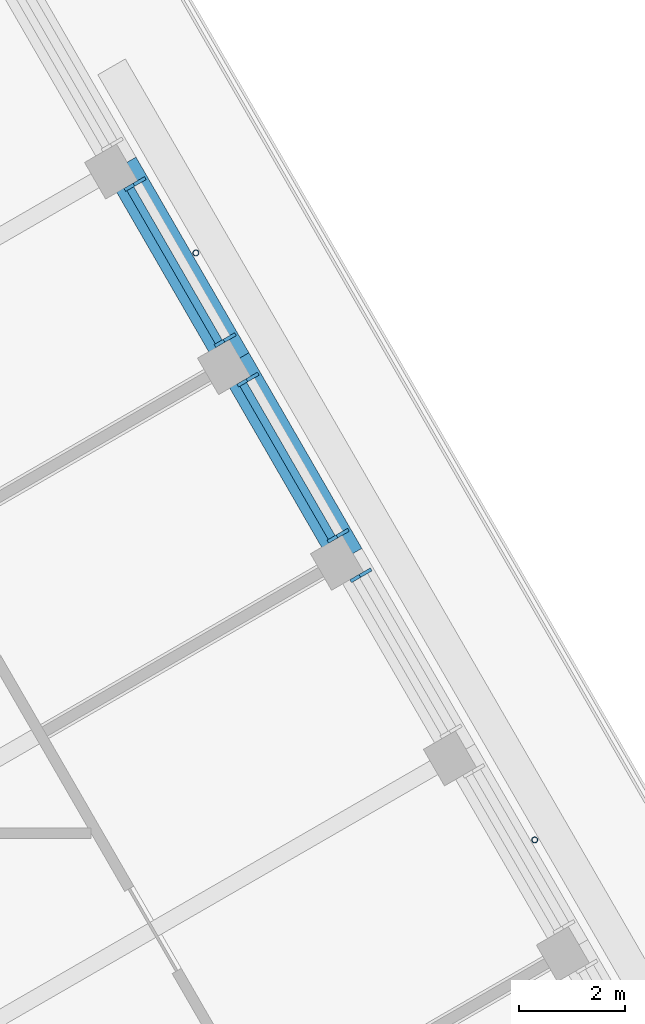
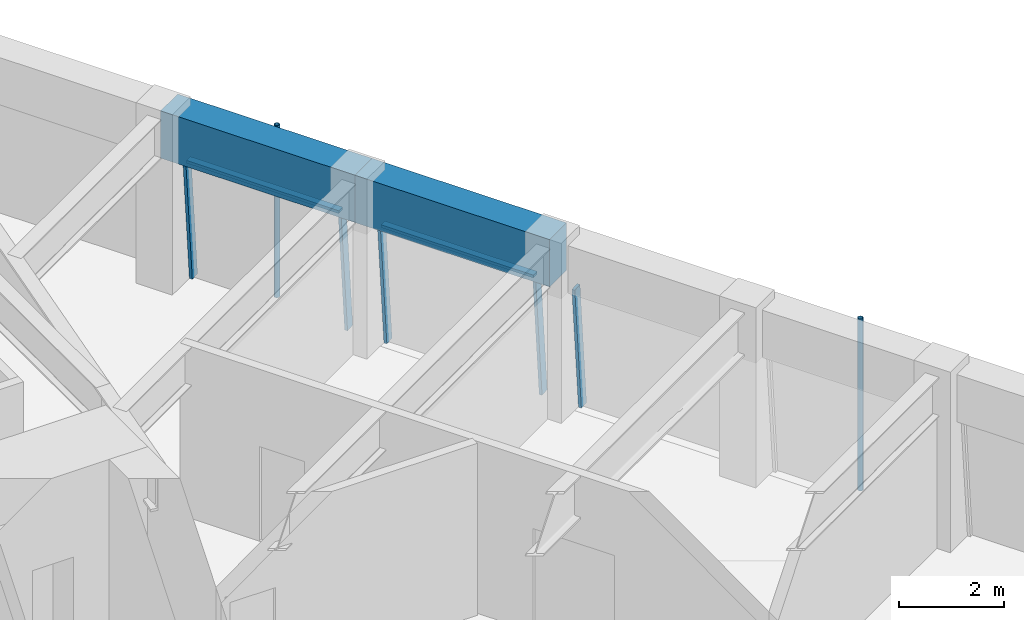
# One storey, part 10 of 19: 9 members, 2 beams, 3 elements without a shape of their own.
"""IFC4 building model written with IfcOpenShell, lengths in metres."""

from ifc_helpers import new_model, si_unit, direction, frame, origin, origin_2d, place, context, subcontext, project, spatial, rectangle, hollow_circle, extrude, material, material_profile, profile_set, type_object, element, aggregate, save


model = new_model("IFC4")

# Units and contexts
model_context = context("Model", 3, precision=1e-05, world=origin(), true_north=direction((0.0, 1.0)))
body_context = subcontext(model_context, "Body", "Model", "MODEL_VIEW")
ifc_project = project(units=[si_unit("LENGTHUNIT", "METRE"), si_unit("AREAUNIT", "SQUARE_METRE"), si_unit("VOLUMEUNIT", "CUBIC_METRE"), si_unit("PLANEANGLEUNIT", "RADIAN"), si_unit("MASSUNIT", "GRAM", prefix="KILO")], contexts=[model_context])

# Site, building, storey
site_placement = place(None, origin())
site = spatial("IfcSite", under=ifc_project, at=site_placement, CompositionType="ELEMENT")
building_placement = place(site_placement, origin())
building = spatial("IfcBuilding", under=site, at=building_placement, Name="Tarfa Lantern Tower", CompositionType="ELEMENT")
storey_placement = place(building_placement, frame((0.0, 0.0, 387.10009765625)))
storey = spatial("IfcBuildingStorey", under=building, at=storey_placement, Name="L88", CompositionType="ELEMENT", Elevation=387.10009765625)

# Curtain wall, member
ifc_material_1 = material(Name="Aluminium framed curtain wall", Category="aluminium")
curtain_wall_type = type_object("IfcCurtainWallType", Name="CW4 CANTED GLAZING EXECUTIVE ZONE 2900", PredefinedType="USERDEFINED", material=ifc_material_1)
curtain_wall_1_placement = place(storey_placement, origin())
curtain_wall_1 = element("IfcCurtainWall", 1, at=curtain_wall_1_placement, inside=storey, type_object=curtain_wall_type, Name="CW4 NE L88", ObjectType="CURTAIN WALL", PredefinedType="USERDEFINED")
ifc_material_2 = material(Name="Aluminium mullion", Category="aluminium")
ifc_material_profile_1 = material_profile(ifc_material_2, rectangle(XDim=0.06494140625, YDim=0.199951171875, at=origin_2d()), Name="AL MULLION 65x200")
ifc_profile_set_1 = profile_set([ifc_material_profile_1], Name="Aluminium mullion")
member_type_1 = type_object("IfcMemberType", Name="CWM1 MULLION 65x200", PredefinedType="MULLION", material=ifc_profile_set_1)
member_1_placement = place(storey_placement, frame((23.2958984375, 12.950439453125, 0.0), z_axis=(-0.074399820079, -0.042945555672, 0.996303340364), x_axis=(0.499919672301, -0.866071776036, 0.0)))
member_1 = element("IfcMember", 2, at=member_1_placement, type_object=member_type_1, Name="CW4 mullion 2", PredefinedType="MULLION", context=body_context, shape_type="SweptSolid", body=[
    extrude(rectangle(XDim=0.06494140625, YDim=0.199951171875, at=origin_2d()), origin(), (0.0, 0.0, 1.0), 2.91064453125),
])
aggregate(curtain_wall_1, [member_1])

# Curtain wall, members
curtain_wall_2_placement = place(storey_placement, origin())
curtain_wall_2 = element("IfcCurtainWall", 3, at=curtain_wall_2_placement, inside=storey, type_object=curtain_wall_type, Name="CW4 NE L88", ObjectType="CURTAIN WALL", PredefinedType="USERDEFINED")
member_2_placement = place(storey_placement, frame((22.86328125, 13.699462890625, 0.0), z_axis=(-0.074399820079, -0.042945555672, 0.996303340364), x_axis=(0.499919672301, -0.866071776036, 0.0)))
member_2 = element("IfcMember", 4, at=member_2_placement, type_object=member_type_1, Name="CW4 mullion 1", PredefinedType="MULLION", context=body_context, shape_type="SweptSolid", body=[
    extrude(rectangle(XDim=0.06494140625, YDim=0.199951171875, at=origin_2d()), origin(), (0.0, 0.0, 1.0), 2.91064453125),
])
member_3_placement = place(storey_placement, frame((21.15478515625, 16.65869140625, 0.0), z_axis=(-0.074399820079, -0.042945555672, 0.996303340364), x_axis=(0.499919672301, -0.866071776036, 0.0)))
member_3 = element("IfcMember", 5, at=member_3_placement, type_object=member_type_1, Name="CW4 mullion 2", PredefinedType="MULLION", context=body_context, shape_type="SweptSolid", body=[
    extrude(rectangle(XDim=0.06494140625, YDim=0.199951171875, at=origin_2d()), origin(), (0.0, 0.0, 1.0), 2.91064453125),
])

curtain_wall_3_placement = place(storey_placement, origin())
curtain_wall_3 = element("IfcCurtainWall", 6, at=curtain_wall_3_placement, inside=storey, type_object=curtain_wall_type, Name="CW4 NE L88", ObjectType="CURTAIN WALL", PredefinedType="USERDEFINED")
member_4_placement = place(storey_placement, frame((20.722412109375, 17.407958984375, 0.0), z_axis=(-0.074399820079, -0.042945555672, 0.996303340364), x_axis=(0.499919672301, -0.866071776036, 0.0)))
member_4 = element("IfcMember", 7, at=member_4_placement, type_object=member_type_1, Name="CW4 mullion 1", PredefinedType="MULLION", context=body_context, shape_type="SweptSolid", body=[
    extrude(rectangle(XDim=0.06494140625, YDim=0.199951171875, at=origin_2d()), origin(), (0.0, 0.0, 1.0), 2.91064453125),
])
member_5_placement = place(storey_placement, frame((19.013916015625, 20.3671875, 0.0), z_axis=(-0.074399820079, -0.042945555672, 0.996303340364), x_axis=(0.499919672301, -0.866071776036, 0.0)))
member_5 = element("IfcMember", 8, at=member_5_placement, type_object=member_type_1, Name="CW4 mullion 2", PredefinedType="MULLION", context=body_context, shape_type="SweptSolid", body=[
    extrude(rectangle(XDim=0.06494140625, YDim=0.199951171875, at=origin_2d()), origin(), (0.0, 0.0, 1.0), 2.91064453125),
])

# Member
ifc_material_3 = material(Name="Aluminium transom", Category="aluminium")
ifc_material_profile_2 = material_profile(ifc_material_3, rectangle(XDim=0.14990234375, YDim=0.06494140625, at=origin_2d()), Name="AL TRANSOM 150x65")
ifc_profile_set_2 = profile_set([ifc_material_profile_2], Name="Aluminium transom")
member_type_2 = type_object("IfcMemberType", Name="CWT1 TRANSOM 150x65", PredefinedType="USERDEFINED", material=ifc_profile_set_2)
member_6_placement = place(storey_placement, frame((22.633056640625, 13.60400390625, 2.867431640625), z_axis=(-0.499985139611, 0.866033983264, 0.0), x_axis=(-0.866033983264, -0.499985139611, 0.0)))
member_6 = element("IfcMember", 9, at=member_6_placement, type_object=member_type_2, Name="CW4 transom 1.2", ObjectType="TRANSOM", PredefinedType="USERDEFINED", context=body_context, shape_type="SweptSolid", body=[
    extrude(rectangle(XDim=0.14990234375, YDim=0.06494140625, at=origin_2d()), origin(), (0.0, 0.0, 1.0), 3.35205078125),
])

aggregate(curtain_wall_2, [member_2, member_3, member_6])

member_7_placement = place(storey_placement, frame((20.491943359375, 17.3125, 2.867431640625), z_axis=(-0.500016677412, 0.866015774862, 0.0), x_axis=(-0.866015774862, -0.500016677412, 0.0)))
member_7 = element("IfcMember", 10, at=member_7_placement, type_object=member_type_2, Name="CW4 transom 1.2", ObjectType="TRANSOM", PredefinedType="USERDEFINED", context=body_context, shape_type="SweptSolid", body=[
    extrude(rectangle(XDim=0.14990234375, YDim=0.06494140625, at=origin_2d()), origin(), (0.0, 0.0, 1.0), 3.35205078125),
])

aggregate(curtain_wall_3, [member_4, member_5, member_7])

# Beams
ifc_material_4 = material(Name="Concrete C80/95", Category="concrete")
ifc_material_profile_3 = material_profile(ifc_material_4, rectangle(XDim=0.64990234375, YDim=1.10009765625, at=origin_2d()), Name="RC 650x1100")
ifc_profile_set_3 = profile_set([ifc_material_profile_3], Name="Concrete C80/95")
beam_type = type_object("IfcBeamType", Name="EB4 RC 650x1100", PredefinedType="SPANDREL", material=ifc_profile_set_3)
for number, where, z_axis, x_axis, name in (
    (11, (22.923583984375, 13.235107421875, 3.449951171875), (-0.499984039138, 0.866034618596, 0.0), (-0.866034618596, -0.499984039138, 0.0), "Edge beam NE3"),
    (12, (20.78271484375, 16.943359375, 3.449951171875), (-0.500026801138, 0.866009929587, 0.0), (-0.866009929587, -0.500026801138, 0.0), "Edge beam NE4"),
):
    element("IfcBeam", number, at=place(storey_placement, frame(where, z_axis=z_axis, x_axis=x_axis)), inside=storey, type_object=beam_type, Name=name, PredefinedType="SPANDREL", context=body_context, shape_type="SweptSolid", body=[
        extrude(rectangle(XDim=0.64990234375, YDim=1.10009765625, at=origin_2d()), origin(), (0.0, 0.0, 1.0), 4.281982421875),
    ])

# Members
ifc_material_5 = material(Name="Steel S355", Category="steel")
ifc_material_profile_4 = material_profile(ifc_material_5, hollow_circle(Radius=0.05712890625, WallThickness=0.00634765625, at=origin_2d()), Name="CHS114.3x6.3")
ifc_profile_set_4 = profile_set([ifc_material_profile_4], Name="Steel S355")
member_type_3 = type_object("IfcMemberType", Name="TR1 GREEN WALL TRELLIS CHS114.3x6.3", PredefinedType="USERDEFINED", material=ifc_profile_set_4)
for number, where, z_axis, x_axis, name in (
    (13, (26.481689453125, 7.87255859375, 0.0), (0.0, 0.0, 1.0), (1.0, 0.0, 0.0), "Trellis post NE 1"),
    (14, (20.05859375, 18.99755859375, 0.0), (0.0, 0.0, 1.0), (1.0, 0.0, 0.0), "Trellis post NE 2"),
):
    element("IfcMember", number, at=place(storey_placement, frame(where, z_axis=z_axis, x_axis=x_axis)), inside=storey, type_object=member_type_3, Name=name, ObjectType="TRELLIS", PredefinedType="USERDEFINED", context=body_context, shape_type="SweptSolid", body=[
        extrude(hollow_circle(Radius=0.05712890625, WallThickness=0.00634765625, at=origin_2d()), origin(), (0.0, 0.0, 1.0), 4.0),
    ])

save(model, "model.ifc")
